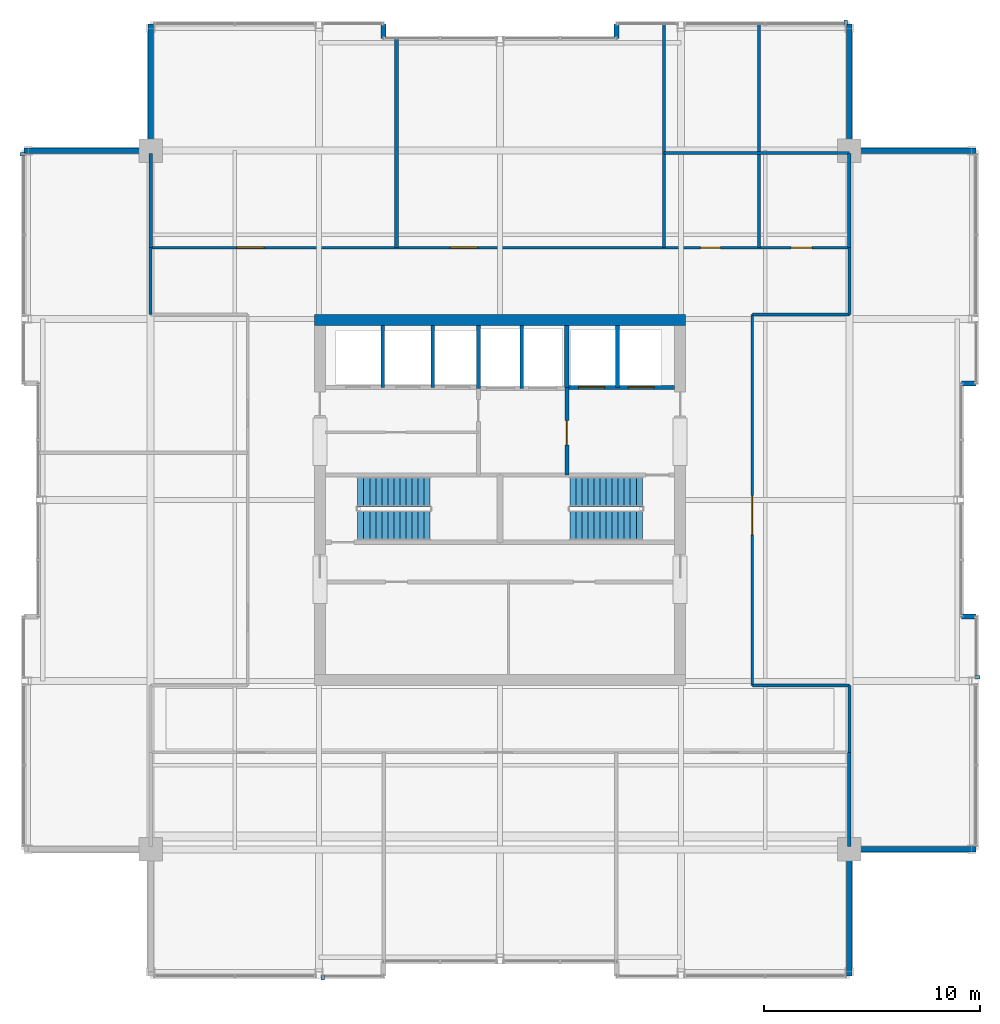
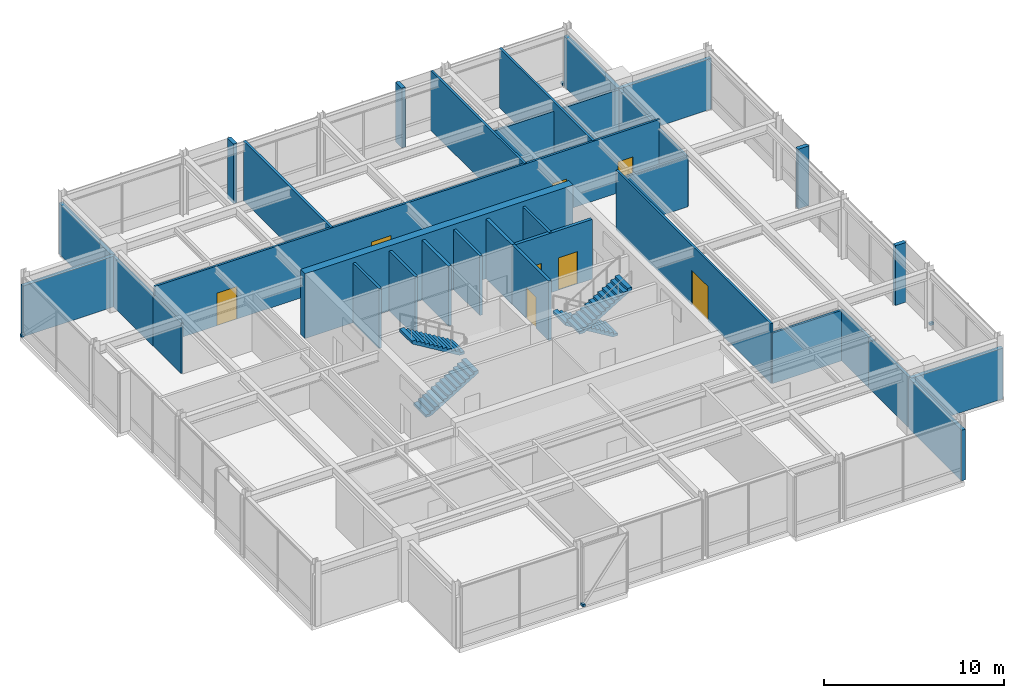
# One storey, part 30 of 33: 33 walls, 8 doors, 4 discrete accessories, 4 stair flights, 8 openings, 2 elements without a shape of their own.
"""IFC4 building model written with IfcOpenShell, lengths in metres."""

import ifcopenshell
import ifcopenshell.guid

model = None  # the IFC model being written
_history = None  # IfcOwnerHistory: only IFC2X3 demands one
_inside = {}  # id of a spatial element -> (the spatial element, [elements in it])
_under = {}  # id of a project, library or spatial element -> (it, [spatial elements below it])
_declared = {}  # id of a project -> (the project, [libraries it declares])
_typed = {}  # id of a type object -> (the type object, [elements of that type])
_made_of = {}  # id of a material, layer set ... -> (it, [elements and type objects made of it])


def new_model(schema):
    """Start an empty IFC model of exactly this schema.

    Asked for "IFC4X3", IfcOpenShell would pick the latest addendum, in which some entities
    have other attributes; the version numbers below select the first issue.
    IFC2X3 requires an IfcOwnerHistory on every rooted entity: one is made here for all.
    """
    global model, _history
    if schema == "IFC4X3":
        model = ifcopenshell.file(schema_version=(4, 3, 0, 0))
    else:
        model = ifcopenshell.file(schema=schema)
    _inside.clear()
    _under.clear()
    _declared.clear()
    _typed.clear()
    _made_of.clear()
    _history = None
    if model.schema == "IFC2X3":
        org = make("IfcOrganization", Name="unknown")
        user = make(
            "IfcPersonAndOrganization",
            ThePerson=make("IfcPerson", FamilyName="unknown"),
            TheOrganization=org,
        )
        app = make(
            "IfcApplication",
            ApplicationDeveloper=org,
            Version="unknown",
            ApplicationFullName="unknown",
            ApplicationIdentifier="unknown",
        )
        _history = make(
            "IfcOwnerHistory",
            OwningUser=user,
            OwningApplication=app,
            ChangeAction="ADDED",
            CreationDate=0,
        )
    return model


def make(cls, **values):
    """One entity of the class cls with the attributes given. An attribute that is None is left unset."""
    return model.create_entity(
        cls, **{name: value for name, value in values.items() if value is not None}
    )


def rooted(cls, **values):
    """An entity with a GlobalId (a new one), such as an element, a storey or a relation."""
    return make(cls, GlobalId=ifcopenshell.guid.new(), OwnerHistory=_history, **values)


def si_unit(unit_type, name, prefix=None):
    """IfcSIUnit, for example si_unit("LENGTHUNIT", "METRE", prefix="MILLI")."""
    return make("IfcSIUnit", UnitType=unit_type, Prefix=prefix, Name=name)


def assignment(units):
    """IfcUnitAssignment: the units of a project."""
    return None if units is None else make("IfcUnitAssignment", Units=units)


def point(xyz):
    """IfcCartesianPoint."""
    return None if xyz is None else make("IfcCartesianPoint", Coordinates=xyz)


def direction(xyz):
    """IfcDirection."""
    return None if xyz is None else make("IfcDirection", DirectionRatios=xyz)


def frame(location, z_axis=None, x_axis=None):
    """IfcAxis2Placement3D, a coordinate frame: its origin and axes. An axis left out is left unset."""
    return make(
        "IfcAxis2Placement3D",
        Location=point(location),
        Axis=direction(z_axis),
        RefDirection=direction(x_axis),
    )


def frame_2d(location, x_axis=None):
    """IfcAxis2Placement2D, a coordinate frame in the plane: its origin and x axis."""
    return make(
        "IfcAxis2Placement2D", Location=point(location), RefDirection=direction(x_axis)
    )


def origin():
    """The frame at (0, 0, 0) with its axes left unset."""
    return frame((0.0, 0.0, 0.0))


def origin_2d():
    """The frame at (0, 0) in the plane with its x axis left unset."""
    return frame_2d((0.0, 0.0))


def place(relative_to, where):
    """IfcLocalPlacement: puts the frame where relative to a parent placement (None: the world)."""
    return make(
        "IfcLocalPlacement", PlacementRelTo=relative_to, RelativePlacement=where
    )


def context(
    kind, dimensions, precision=None, world=None, true_north=None, identifier=None
):
    """IfcGeometricRepresentationContext, for example the 3D "Model" context."""
    return make(
        "IfcGeometricRepresentationContext",
        ContextIdentifier=identifier,
        ContextType=kind,
        CoordinateSpaceDimension=dimensions,
        Precision=precision,
        WorldCoordinateSystem=world,
        TrueNorth=true_north,
    )


def subcontext(parent, identifier, kind, view, scale=None):
    """IfcGeometricRepresentationSubContext, for example "Body" below "Model"."""
    return make(
        "IfcGeometricRepresentationSubContext",
        ContextIdentifier=identifier,
        ContextType=kind,
        ParentContext=parent,
        TargetScale=scale,
        TargetView=view,
    )


def project(units=None, contexts=None):
    """IfcProject with its units and contexts."""
    return rooted(
        "IfcProject",
        Name="project",
        RepresentationContexts=contexts,
        UnitsInContext=assignment(units),
    )


def spatial(cls, under=None, at=None, **own):
    """A site, building, storey or space (cls), placed at a placement, below another one or the project."""
    s = rooted(cls, ObjectPlacement=at, **own)
    if under is not None:
        _under.setdefault(under.id(), (under, []))[1].append(s)
    return s


def polyline(points):
    """IfcPolyline through the points."""
    return make("IfcPolyline", Points=[point(p) for p in points])


def profile(cls, at=None, kind="AREA", **sizes):
    """A parametric profile (cls). Its sizes go by their IFC names, for example OverallWidth=200.0."""
    return make(cls, ProfileType=kind, Position=at, **sizes)


def rectangle(**sizes):
    """IfcRectangleProfileDef."""
    return profile("IfcRectangleProfileDef", **sizes)


def outline(outer, holes=None, kind="AREA"):
    """IfcArbitraryClosedProfileDef: a profile drawn as a closed curve; with holes, ...WithVoids."""
    if holes is None:
        return make("IfcArbitraryClosedProfileDef", ProfileType=kind, OuterCurve=outer)
    return make(
        "IfcArbitraryProfileDefWithVoids",
        ProfileType=kind,
        OuterCurve=outer,
        InnerCurves=holes,
    )


def extrude(swept, where, along, depth):
    """IfcExtrudedAreaSolid: the profile swept, set in the frame where, extruded along a direction by depth."""
    return make(
        "IfcExtrudedAreaSolid",
        SweptArea=swept,
        Position=where,
        ExtrudedDirection=direction(along),
        Depth=depth,
    )


def shape(context_of_items, identifier, shape_type, items):
    """IfcShapeRepresentation: the items that make up one representation, for example the "Body"."""
    return make(
        "IfcShapeRepresentation",
        ContextOfItems=context_of_items,
        RepresentationIdentifier=identifier,
        RepresentationType=shape_type,
        Items=items,
    )


def material(Name=None, Category=None):
    """IfcMaterial."""
    return make("IfcMaterial", Name=Name, Category=Category)


def layer(
    of_material, thickness, ventilated=None, Name=None, Category=None, Priority=None
):
    """IfcMaterialLayer: one layer of a wall or slab, of a material (None: an air gap)."""
    return make(
        "IfcMaterialLayer",
        Material=of_material,
        LayerThickness=thickness,
        IsVentilated=ventilated,
        Name=Name,
        Category=Category,
        Priority=Priority,
    )


def layer_set(layers, Name=None):
    """IfcMaterialLayerSet."""
    return make("IfcMaterialLayerSet", MaterialLayers=layers, LayerSetName=Name)


def made_of(thing, what):
    """Note that an element or type object is made of a material, layer set ...; save() writes the relation."""
    if what is not None:
        _made_of.setdefault(what.id(), (what, []))[1].append(thing)
    return thing


def type_object(cls, material=None, **own):
    """A type object (cls), such as IfcWallType, which elements share."""
    return made_of(rooted(cls, **own), material)


def element(
    cls,
    number,
    at=None,
    inside=None,
    cuts=None,
    type_object=None,
    material=None,
    context=None,
    identifier="Body",
    shape_type=None,
    held_by="IfcProductDefinitionShape",
    body=None,
    shapes=None,
    **own,
):
    """One element of the class cls, such as IfcWall. Its Tag is "e" and its number.

    at: its placement. inside: the storey or other place that contains it. cuts: it is an
    opening in that element (IfcRelVoidsElement). A single representation is given by context,
    identifier, shape_type and body (its items); several are given by shapes. held_by: the class
    of the entity that holds the representations. save() writes the other relations.
    """
    e = rooted(cls, Tag="e%d" % number, ObjectPlacement=at, **own)
    if body is not None:
        shapes = [shape(context, identifier, shape_type, body)]
    if shapes is not None:
        e.Representation = make(held_by, Representations=shapes)
    if inside is not None:
        _inside.setdefault(inside.id(), (inside, []))[1].append(e)
    if cuts is not None:
        rooted(
            "IfcRelVoidsElement", RelatingBuildingElement=cuts, RelatedOpeningElement=e
        )
    if type_object is not None:
        _typed.setdefault(type_object.id(), (type_object, []))[1].append(e)
    return made_of(e, material)


def fill(opening, filler):
    """IfcRelFillsElement: the door or window that sits in an opening."""
    return rooted(
        "IfcRelFillsElement",
        RelatingOpeningElement=opening,
        RelatedBuildingElement=filler,
    )


def aggregate(whole, parts):
    """IfcRelAggregates: a whole, such as a stair, and the parts it consists of."""
    return rooted("IfcRelAggregates", RelatingObject=whole, RelatedObjects=parts)


def save(model, path):
    """Write the relations noted so far, then the file.

    IfcRelAggregates (storeys below a building ...), IfcRelContainedInSpatialStructure (elements
    in a storey), IfcRelDefinesByType, IfcRelAssociatesMaterial and IfcRelDeclares: one each for
    every whole, place, type object, material and project.
    """
    for whole, parts in _under.values():
        aggregate(whole, parts)
    for where, things in _inside.values():
        rooted(
            "IfcRelContainedInSpatialStructure",
            RelatedElements=things,
            RelatingStructure=where,
        )
    for kind, things in _typed.values():
        rooted("IfcRelDefinesByType", RelatedObjects=things, RelatingType=kind)
    for what, things in _made_of.values():
        rooted("IfcRelAssociatesMaterial", RelatedObjects=things, RelatingMaterial=what)
    for by, libraries in _declared.values():
        rooted("IfcRelDeclares", RelatingContext=by, RelatedDefinitions=libraries)
    model.write(path)


model = new_model("IFC4")

# Units and contexts
model_context = context("Model", 3, precision=1e-05, world=origin(), true_north=direction((0.0, 1.0)))
body_context = subcontext(model_context, "Body", "Model", "MODEL_VIEW")
ifc_project = project(units=[si_unit("LENGTHUNIT", "METRE"), si_unit("AREAUNIT", "SQUARE_METRE"), si_unit("VOLUMEUNIT", "CUBIC_METRE"), si_unit("PLANEANGLEUNIT", "RADIAN"), si_unit("MASSUNIT", "GRAM", prefix="KILO")], contexts=[model_context])

# Site, building, storey
site_placement = place(None, origin())
site = spatial("IfcSite", under=ifc_project, at=site_placement, CompositionType="ELEMENT")
building_placement = place(site_placement, origin())
building = spatial("IfcBuilding", under=site, at=building_placement, Name="Drelvath Grand Hotel", CompositionType="ELEMENT")
storey_placement = place(building_placement, frame((0.0, 0.0, 298.60009765625)))
storey = spatial("IfcBuildingStorey", under=building, at=storey_placement, Name="L78", CompositionType="ELEMENT", Elevation=298.60009765625)

# Wall, openings, doors
ifc_material_1 = material(Name="Concrete C40/50", Category="concrete")
ifc_layer_1 = layer(ifc_material_1, 0.199951171875)
ifc_layer_set_1 = layer_set([ifc_layer_1], Name="Concrete C40/50")
wall_type_1 = type_object("IfcWallType", Name="Core Hoistway Fire Wall 200", PredefinedType="SOLIDWALL", material=ifc_layer_set_1)
wall_1_placement = place(storey_placement, frame((3.10009765625, 32.219970703125, 0.0), z_axis=(0.0, 0.0, 1.0), x_axis=(1.0, 0.0, 0.0)))
wall_1 = element("IfcWall", 1, at=wall_1_placement, inside=storey, type_object=wall_type_1, Name="L78 FSAE Hoistway Front Wall", PredefinedType="SOLIDWALL", context=body_context, shape_type="SweptSolid", body=[
    extrude(rectangle(XDim=5.0, YDim=0.199951171875, at=frame_2d((2.5, 0.0))), origin(), (0.0, 0.0, 1.0), 4.0498046875),
])
opening_1_placement = place(wall_1_placement, frame((0.550048828125, 0.0, 0.0)))
opening_1 = element("IfcOpeningElement", 2, at=opening_1_placement, cuts=wall_1, Name="Opening LD-FSAE-1", PredefinedType="OPENING", context=body_context, shape_type="SweptSolid", body=[
    extrude(rectangle(XDim=1.199951171875, YDim=2.199951171875, at=frame_2d((0.60009765625, 1.10009765625))), frame((0.0, 0.10986328125, 0.0), z_axis=(0.0, -1.0, 0.0), x_axis=(1.0, 0.0, 0.0)), (0.0, 0.0, 1.0), 0.219970703125),
])
opening_2_placement = place(wall_1_placement, frame((2.85009765625, 0.0, 0.0)))
opening_2 = element("IfcOpeningElement", 3, at=opening_2_placement, cuts=wall_1, Name="Opening LD-FSAE-2", PredefinedType="OPENING", context=body_context, shape_type="SweptSolid", body=[
    extrude(rectangle(XDim=1.199951171875, YDim=2.199951171875, at=frame_2d((0.60009765625, 1.10009765625))), frame((0.0, 0.10986328125, 0.0), z_axis=(0.0, -1.0, 0.0), x_axis=(1.0, 0.0, 0.0)), (0.0, 0.0, 1.0), 0.219970703125),
])
ifc_material_2 = material(Name="Stainless Steel S355", Category="steel")
door_type_1 = type_object("IfcDoorType", Name="FSAE Lift Sliding Landing Door 1200x2200", OperationType="NOTDEFINED", PredefinedType="DOOR", material=ifc_material_2)
door_1_placement = place(opening_1_placement, origin())
door_1 = element("IfcDoor", 4, at=door_1_placement, inside=storey, type_object=door_type_1, Name="L78 Lift FSAE-1 Landing Door", OperationType="SLIDING_TO_LEFT", OverallHeight=2.199951171875, OverallWidth=1.199951171875, PredefinedType="DOOR", context=body_context, shape_type="SweptSolid", body=[
    extrude(rectangle(XDim=1.199951171875, YDim=2.199951171875, at=frame_2d((0.60009765625, 1.10009765625))), frame((0.0, 0.02490234375, 0.0), z_axis=(0.0, -1.0, 0.0), x_axis=(1.0, 0.0, 0.0)), (0.0, 0.0, 1.0), 0.050048828125),
])
fill(opening_1, door_1)
door_2_placement = place(opening_2_placement, origin())
door_2 = element("IfcDoor", 5, at=door_2_placement, inside=storey, type_object=door_type_1, Name="L78 Lift FSAE-2 Landing Door", OperationType="SLIDING_TO_LEFT", OverallHeight=2.199951171875, OverallWidth=1.199951171875, PredefinedType="DOOR", context=body_context, shape_type="SweptSolid", body=[
    extrude(rectangle(XDim=1.199951171875, YDim=2.199951171875, at=frame_2d((0.60009765625, 1.10009765625))), frame((0.0, 0.02490234375, 0.0), z_axis=(0.0, -1.0, 0.0), x_axis=(1.0, 0.0, 0.0)), (0.0, 0.0, 1.0), 0.050048828125),
])
fill(opening_2, door_2)

# Walls
wall_2_placement = place(storey_placement, frame((3.10009765625, 32.219970703125, 0.0), z_axis=(0.0, 0.0, 1.0), x_axis=(0.0, 1.0, 0.0)))
element("IfcWall", 6, at=wall_2_placement, inside=storey, type_object=wall_type_1, Name="L78 FSAE Hoistway West Wall", PredefinedType="SOLIDWALL", context=body_context, shape_type="SweptSolid", body=[
    extrude(rectangle(XDim=2.880126953125, YDim=0.199951171875, at=frame_2d((1.43994140625, 0.0))), origin(), (0.0, 0.0, 1.0), 4.0498046875),
])
wall_3_placement = place(storey_placement, frame((-1.0, 32.179931640625, 0.0), z_axis=(0.0, 0.0, 1.0), x_axis=(0.0, 1.0, 0.0)))
element("IfcWall", 7, at=wall_3_placement, inside=storey, type_object=wall_type_1, Name="L78 Service Lift West Wall", PredefinedType="SOLIDWALL", context=body_context, shape_type="SweptSolid", body=[
    extrude(rectangle(XDim=2.920166015625, YDim=0.199951171875, at=frame_2d((1.4599609375, 0.0))), origin(), (0.0, 0.0, 1.0), 4.0498046875),
])
ifc_material_3 = material(Name="Gypsum Fireboard Partition")
ifc_layer_2 = layer(ifc_material_3, 0.1650390625)
ifc_layer_set_2 = layer_set([ifc_layer_2], Name="Gypsum Fireboard Partition")
wall_type_2 = type_object("IfcWallType", Name="Core Shaft Partition 165", PredefinedType="PARTITIONING", material=ifc_layer_set_2)
wall_4_placement = place(storey_placement, frame((5.449951171875, 32.219970703125, 0.0), z_axis=(0.0, 0.0, 1.0), x_axis=(0.0, 1.0, 0.0)))
element("IfcWall", 8, at=wall_4_placement, inside=storey, type_object=wall_type_2, Name="L78 FSAE Hoistway Divider", PredefinedType="PARTITIONING", context=body_context, shape_type="SweptSolid", body=[
    extrude(rectangle(XDim=2.880126953125, YDim=0.1650390625, at=frame_2d((1.43994140625, 0.0))), origin(), (0.0, 0.0, 1.0), 4.0498046875),
])
wall_5_placement = place(storey_placement, frame((1.0, 32.179931640625, 0.0), z_axis=(0.0, 0.0, 1.0), x_axis=(0.0, 1.0, 0.0)))
element("IfcWall", 9, at=wall_5_placement, inside=storey, type_object=wall_type_2, Name="L78 Service Lift Divider", PredefinedType="PARTITIONING", context=body_context, shape_type="SweptSolid", body=[
    extrude(rectangle(XDim=2.920166015625, YDim=0.1650390625, at=frame_2d((1.4599609375, 0.0))), origin(), (0.0, 0.0, 1.0), 4.0498046875),
])
for number, where, z_axis, x_axis, name in (
    (10, (-5.43994140625, 32.219970703125, 0.0), (0.0, 0.0, 1.0), (0.0, 1.0, 0.0), "L78 Lift PE-7/8 Divider"),
    (11, (-3.1201171875, 32.219970703125, 0.0), (0.0, 0.0, 1.0), (0.0, 1.0, 0.0), "L78 Lift PE-8/9 Divider"),
):
    element("IfcWall", number, at=place(storey_placement, frame(where, z_axis=z_axis, x_axis=x_axis)), inside=storey, type_object=wall_type_2, Name=name, PredefinedType="PARTITIONING", context=body_context, shape_type="SweptSolid", body=[
        extrude(rectangle(XDim=2.880126953125, YDim=0.1650390625, at=frame_2d((1.43994140625, 0.0))), origin(), (0.0, 0.0, 1.0), 4.0498046875),
    ])

# Wall, openings, doors
ifc_layer_3 = layer(ifc_material_3, 0.135009765625)
ifc_layer_set_3 = layer_set([ifc_layer_3], Name="Gypsum Fireboard Partition")
wall_type_3 = type_object("IfcWallType", Name="Corridor Fire Barrier Wall 135", PredefinedType="PARTITIONING", material=ifc_layer_set_3)
wall_6_placement = place(storey_placement, frame((-16.199951171875, 38.699951171875, 0.0), z_axis=(0.0, 0.0, 1.0), x_axis=(1.0, 0.0, 0.0)))
wall_6 = element("IfcWall", 12, at=wall_6_placement, inside=storey, type_object=wall_type_3, Name="L78 Sky North Foyer Wall", PredefinedType="PARTITIONING", context=body_context, shape_type="SweptSolid", body=[
    extrude(rectangle(XDim=32.39990234375, YDim=0.135009765625, at=frame_2d((16.199951171875, 0.0))), origin(), (0.0, 0.0, 1.0), 4.0498046875),
])
opening_3_placement = place(wall_6_placement, frame((4.0, 0.0, 0.0)))
opening_3 = element("IfcOpeningElement", 13, at=opening_3_placement, cuts=wall_6, Name="Opening D-L78-022", PredefinedType="OPENING", context=body_context, shape_type="SweptSolid", body=[
    extrude(rectangle(XDim=1.260009765625, YDim=2.199951171875, at=frame_2d((0.6298828125, 1.10009765625))), frame((0.0, 0.077392578125, 0.0), z_axis=(0.0, -1.0, 0.0), x_axis=(1.0, 0.0, 0.0)), (0.0, 0.0, 1.0), 0.155029296875),
])
opening_4_placement = place(wall_6_placement, frame((13.89990234375, 0.0, 0.0)))
opening_4 = element("IfcOpeningElement", 14, at=opening_4_placement, cuts=wall_6, Name="Opening D-L78-023", PredefinedType="OPENING", context=body_context, shape_type="SweptSolid", body=[
    extrude(rectangle(XDim=1.260009765625, YDim=2.199951171875, at=frame_2d((0.6298828125, 1.10009765625))), frame((0.0, 0.077392578125, 0.0), z_axis=(0.0, -1.0, 0.0), x_axis=(1.0, 0.0, 0.0)), (0.0, 0.0, 1.0), 0.155029296875),
])
opening_5_placement = place(wall_6_placement, frame((25.5, 0.0, 0.0)))
opening_5 = element("IfcOpeningElement", 15, at=opening_5_placement, cuts=wall_6, Name="Opening D-L78-024", PredefinedType="OPENING", context=body_context, shape_type="SweptSolid", body=[
    extrude(rectangle(XDim=0.919921875, YDim=2.10009765625, at=frame_2d((0.4599609375, 1.050048828125))), frame((0.0, 0.077392578125, 0.0), z_axis=(0.0, -1.0, 0.0), x_axis=(1.0, 0.0, 0.0)), (0.0, 0.0, 1.0), 0.155029296875),
])
opening_6_placement = place(wall_6_placement, frame((29.699951171875, 0.0, 0.0)))
opening_6 = element("IfcOpeningElement", 16, at=opening_6_placement, cuts=wall_6, Name="Opening D-L78-025", PredefinedType="OPENING", context=body_context, shape_type="SweptSolid", body=[
    extrude(rectangle(XDim=0.97998046875, YDim=2.10009765625, at=frame_2d((0.489990234375, 1.050048828125))), frame((0.0, 0.077392578125, 0.0), z_axis=(0.0, -1.0, 0.0), x_axis=(1.0, 0.0, 0.0)), (0.0, 0.0, 1.0), 0.155029296875),
])
ifc_material_4 = material(Name="Hardwood Walnut Timber", Category="wood")
door_type_2 = type_object("IfcDoorType", Name="Accessible WC Door 980x2100", OperationType="NOTDEFINED", PredefinedType="DOOR", material=ifc_material_4)
door_3_placement = place(opening_6_placement, origin())
door_3 = element("IfcDoor", 17, at=door_3_placement, inside=storey, type_object=door_type_2, Name="L78 Sky Accessible WC Door", OperationType="SINGLE_SWING_RIGHT", OverallHeight=2.10009765625, OverallWidth=0.97998046875, PredefinedType="DOOR", context=body_context, shape_type="SweptSolid", body=[
    extrude(rectangle(XDim=0.97998046875, YDim=2.10009765625, at=frame_2d((0.489990234375, 1.050048828125))), frame((0.0, 0.02490234375, 0.0), z_axis=(0.0, -1.0, 0.0), x_axis=(1.0, 0.0, 0.0)), (0.0, 0.0, 1.0), 0.050048828125),
])
fill(opening_6, door_3)
ifc_material_5 = material(Name="Painted Steel S275", Category="steel")
door_type_3 = type_object("IfcDoorType", Name="Staff Utility Door 920x2100", OperationType="NOTDEFINED", PredefinedType="DOOR", material=ifc_material_5)
door_4_placement = place(opening_5_placement, origin())
door_4 = element("IfcDoor", 18, at=door_4_placement, inside=storey, type_object=door_type_3, Name="L78 Sky Public WC Door", OperationType="SINGLE_SWING_LEFT", OverallHeight=2.10009765625, OverallWidth=0.919921875, PredefinedType="DOOR", context=body_context, shape_type="SweptSolid", body=[
    extrude(rectangle(XDim=0.919921875, YDim=2.10009765625, at=frame_2d((0.4599609375, 1.050048828125))), frame((0.0, 0.02490234375, 0.0), z_axis=(0.0, -1.0, 0.0), x_axis=(1.0, 0.0, 0.0)), (0.0, 0.0, 1.0), 0.050048828125),
])
fill(opening_5, door_4)
door_type_4 = type_object("IfcDoorType", Name="Suite Entrance Fire Door 1260x2200", OperationType="NOTDEFINED", PredefinedType="DOOR", material=ifc_material_4)
door_5_placement = place(opening_3_placement, origin())
door_5 = element("IfcDoor", 19, at=door_5_placement, inside=storey, type_object=door_type_4, Name="L78 Starlight VIP Salon Door", OperationType="SINGLE_SWING_LEFT", OverallHeight=2.199951171875, OverallWidth=1.260009765625, PredefinedType="DOOR", context=body_context, shape_type="SweptSolid", body=[
    extrude(rectangle(XDim=1.260009765625, YDim=2.199951171875, at=frame_2d((0.6298828125, 1.10009765625))), frame((0.0, 0.02490234375, 0.0), z_axis=(0.0, -1.0, 0.0), x_axis=(1.0, 0.0, 0.0)), (0.0, 0.0, 1.0), 0.050048828125),
])
fill(opening_3, door_5)
door_6_placement = place(opening_4_placement, origin())
door_6 = element("IfcDoor", 20, at=door_6_placement, inside=storey, type_object=door_type_4, Name="L78 Mixology Servery Kitchen Door", OperationType="SINGLE_SWING_RIGHT", OverallHeight=2.199951171875, OverallWidth=1.260009765625, PredefinedType="DOOR", context=body_context, shape_type="SweptSolid", body=[
    extrude(rectangle(XDim=1.260009765625, YDim=2.199951171875, at=frame_2d((0.6298828125, 1.10009765625))), frame((0.0, 0.02490234375, 0.0), z_axis=(0.0, -1.0, 0.0), x_axis=(1.0, 0.0, 0.0)), (0.0, 0.0, 1.0), 0.050048828125),
])
fill(opening_4, door_6)

# Walls
for number, where, z_axis, x_axis, name in (
    (21, (11.699951171875, 18.39990234375, 0.0), (0.0, 0.0, 1.0), (1.0, 0.0, 0.0), "L78 Sky SE Spur Inner Wall"),
    (22, (11.699951171875, 35.60009765625, 0.0), (0.0, 0.0, 1.0), (1.0, 0.0, 0.0), "L78 Sky NE Spur Inner Wall"),
):
    element("IfcWall", number, at=place(storey_placement, frame(where, z_axis=z_axis, x_axis=x_axis)), inside=storey, type_object=wall_type_3, Name=name, PredefinedType="PARTITIONING", context=body_context, shape_type="SweptSolid", body=[
        extrude(rectangle(XDim=4.5, YDim=0.135009765625, at=frame_2d((2.25, 0.0))), origin(), (0.0, 0.0, 1.0), 3.42724609375),
    ])

# Wall, opening, door
wall_7_placement = place(storey_placement, frame((11.699951171875, 18.39990234375, 0.0), z_axis=(0.0, 0.0, 1.0), x_axis=(0.0, 1.0, 0.0)))
wall_7 = element("IfcWall", 23, at=wall_7_placement, inside=storey, type_object=wall_type_3, Name="L78 Sky East Foyer Wall", PredefinedType="PARTITIONING", context=body_context, shape_type="SweptSolid", body=[
    extrude(rectangle(XDim=17.2001953125, YDim=0.135009765625, at=frame_2d((8.60009765625, 0.0))), origin(), (0.0, 0.0, 1.0), 4.0498046875),
])
opening_7_placement = place(wall_7_placement, frame((7.0, 0.0, 0.0)))
opening_7 = element("IfcOpeningElement", 24, at=opening_7_placement, cuts=wall_7, Name="Opening D-L78-028", PredefinedType="OPENING", context=body_context, shape_type="SweptSolid", body=[
    extrude(rectangle(XDim=1.800048828125, YDim=2.35009765625, at=frame_2d((0.89990234375, 1.175048828125))), frame((0.0, 0.077392578125, 0.0), z_axis=(0.0, -1.0, 0.0), x_axis=(1.0, 0.0, 0.0)), (0.0, 0.0, 1.0), 0.155029296875),
])
ifc_material_6 = material(Name="Hardwood Bronze-Clad Timber", Category="wood")
door_type_5 = type_object("IfcDoorType", Name="Assembly Double Fire Door 1800x2350", OperationType="NOTDEFINED", PredefinedType="DOOR", material=ifc_material_6)
door_7_placement = place(opening_7_placement, origin())
door_7 = element("IfcDoor", 25, at=door_7_placement, inside=storey, type_object=door_type_5, Name="L78 East Panorama Lounge Door", OperationType="DOUBLE_DOOR_SINGLE_SWING", OverallHeight=2.35009765625, OverallWidth=1.800048828125, PredefinedType="DOOR", context=body_context, shape_type="SweptSolid", body=[
    extrude(rectangle(XDim=1.800048828125, YDim=2.35009765625, at=frame_2d((0.89990234375, 1.175048828125))), frame((0.0, 0.02490234375, 0.0), z_axis=(0.0, -1.0, 0.0), x_axis=(1.0, 0.0, 0.0)), (0.0, 0.0, 1.0), 0.050048828125),
])
fill(opening_7, door_7)

# Walls
for number, where, z_axis, x_axis, name in (
    (26, (16.199951171875, 15.300048828125, 0.0), (0.0, 0.0, 1.0), (0.0, 1.0, 0.0), "L78 Sky South Foyer East End"),
    (27, (-16.199951171875, 35.60009765625, 0.0), (0.0, 0.0, 1.0), (0.0, 1.0, 0.0), "L78 Sky North Foyer West End"),
    (28, (16.199951171875, 35.60009765625, 0.0), (0.0, 0.0, 1.0), (0.0, 1.0, 0.0), "L78 Sky North Foyer East End"),
):
    element("IfcWall", number, at=place(storey_placement, frame(where, z_axis=z_axis, x_axis=x_axis)), inside=storey, type_object=wall_type_3, Name=name, PredefinedType="PARTITIONING", context=body_context, shape_type="SweptSolid", body=[
        extrude(rectangle(XDim=3.099853515625, YDim=0.135009765625, at=frame_2d((1.5498046875, 0.0))), origin(), (0.0, 0.0, 1.0), 3.423828125),
    ])
ifc_material_7 = material(Name="Moisture-Resistant Gypsum Board")
ifc_layer_4 = layer(ifc_material_7, 0.139892578125)
ifc_layer_set_4 = layer_set([ifc_layer_4], Name="Moisture-Resistant Gypsum Board")
wall_type_4 = type_object("IfcWallType", Name="En-Suite Plumbing Wall 140", PredefinedType="PLUMBINGWALL", material=ifc_layer_set_4)
for number, where, z_axis, x_axis, name in (
    (29, (7.60009765625, 38.699951171875, 0.0), (0.0, 0.0, 1.0), (0.0, 1.0, 0.0), "L78 Sky WC West Wall"),
    (30, (12.0, 38.699951171875, 0.0), (0.0, 0.0, 1.0), (0.0, 1.0, 0.0), "L78 Sky WC Split Wall"),
):
    element("IfcWall", number, at=place(storey_placement, frame(where, z_axis=z_axis, x_axis=x_axis)), inside=storey, type_object=wall_type_4, Name=name, PredefinedType="PLUMBINGWALL", context=body_context, shape_type="SweptSolid", body=[
        extrude(rectangle(XDim=10.380126953125, YDim=0.139892578125, at=frame_2d((5.18994140625, 0.0))), origin(), (0.0, 0.0, 1.0), 4.0498046875),
    ])
wall_8_placement = place(storey_placement, frame((7.60009765625, 43.10009765625, 0.0), z_axis=(0.0, 0.0, 1.0), x_axis=(1.0, 0.0, 0.0)))
element("IfcWall", 31, at=wall_8_placement, inside=storey, type_object=wall_type_4, Name="L78 Sky WC Back Wall", PredefinedType="PLUMBINGWALL", context=body_context, shape_type="SweptSolid", body=[
    extrude(rectangle(XDim=8.599853515625, YDim=0.139892578125, at=frame_2d((4.2998046875, 0.0))), origin(), (0.0, 0.0, 1.0), 3.423828125),
])

# Wall, opening, door
ifc_layer_5 = layer(ifc_material_3, 0.179931640625)
ifc_layer_set_5 = layer_set([ifc_layer_5], Name="Gypsum Fireboard Partition")
wall_type_5 = type_object("IfcWallType", Name="FSAE Smoke Lobby Fire Wall 180", PredefinedType="SOLIDWALL", material=ifc_layer_set_5)
wall_9_placement = place(storey_placement, frame((3.10009765625, 28.159912109375, 0.0), z_axis=(0.0, 0.0, 1.0), x_axis=(0.0, 1.0, 0.0)))
wall_9 = element("IfcWall", 32, at=wall_9_placement, inside=storey, type_object=wall_type_5, Name="L78 FSAE Smoke Lobby West Wall", PredefinedType="SOLIDWALL", context=body_context, shape_type="SweptSolid", body=[
    extrude(rectangle(XDim=4.06005859375, YDim=0.179931640625, at=frame_2d((2.030029296875, 0.0))), origin(), (0.0, 0.0, 1.0), 4.0498046875),
])
opening_8_placement = place(wall_9_placement, frame((1.39990234375, 0.0, 0.0)))
opening_8 = element("IfcOpeningElement", 33, at=opening_8_placement, cuts=wall_9, Name="Opening D-L78-005", PredefinedType="OPENING", context=body_context, shape_type="SweptSolid", body=[
    extrude(rectangle(XDim=1.1201171875, YDim=2.10009765625, at=frame_2d((0.56005859375, 1.050048828125))), frame((0.0, 0.099853515625, 0.0), z_axis=(0.0, -1.0, 0.0), x_axis=(1.0, 0.0, 0.0)), (0.0, 0.0, 1.0), 0.199951171875),
])
door_type_6 = type_object("IfcDoorType", Name="FSAE Smoke Lobby Fire Door 1120x2100", OperationType="NOTDEFINED", PredefinedType="DOOR", material=ifc_material_5)
door_8_placement = place(opening_8_placement, origin())
door_8 = element("IfcDoor", 34, at=door_8_placement, inside=storey, type_object=door_type_6, Name="L78 FSAE Lobby Service Vestibule Door", OperationType="SINGLE_SWING_RIGHT", OverallHeight=2.10009765625, OverallWidth=1.1201171875, PredefinedType="DOOR", context=body_context, shape_type="SweptSolid", body=[
    extrude(rectangle(XDim=1.1201171875, YDim=2.10009765625, at=frame_2d((0.56005859375, 1.050048828125))), frame((0.0, 0.02490234375, 0.0), z_axis=(0.0, -1.0, 0.0), x_axis=(1.0, 0.0, 0.0)), (0.0, 0.0, 1.0), 0.050048828125),
])
fill(opening_8, door_8)

# Walls
ifc_material_8 = material(Name="Gypsum Acoustic Partition")
ifc_layer_6 = layer(ifc_material_8, 0.1650390625)
ifc_layer_set_6 = layer_set([ifc_layer_6], Name="Gypsum Acoustic Partition")
wall_type_6 = type_object("IfcWallType", Name="Suite Demising Wall 165", PredefinedType="PARTITIONING", material=ifc_layer_set_6)
for number, where, z_axis, x_axis, name in (
    (35, (16.199951171875, 10.919921875, 0.0), (0.0, 0.0, 1.0), (0.0, 1.0, 0.0), "L78 Sky SE Wall"),
    (36, (-16.199951171875, 38.699951171875, 0.0), (0.0, 0.0, 1.0), (0.0, 1.0, 0.0), "L78 Sky NW Wall"),
    (37, (16.199951171875, 38.699951171875, 0.0), (0.0, 0.0, 1.0), (0.0, 1.0, 0.0), "L78 Sky NE Wall"),
):
    element("IfcWall", number, at=place(storey_placement, frame(where, z_axis=z_axis, x_axis=x_axis)), inside=storey, type_object=wall_type_6, Name=name, PredefinedType="PARTITIONING", context=body_context, shape_type="SweptSolid", body=[
        extrude(rectangle(XDim=4.380126953125, YDim=0.1650390625, at=frame_2d((2.18994140625, 0.0))), origin(), (0.0, 0.0, 1.0), 3.423828125),
    ])
wall_10_placement = place(storey_placement, frame((-4.800048828125, 38.699951171875, 0.0), z_axis=(0.0, 0.0, 1.0), x_axis=(0.0, 1.0, 0.0)))
element("IfcWall", 38, at=wall_10_placement, inside=storey, type_object=wall_type_6, Name="L78 Sky North Split", PredefinedType="PARTITIONING", context=body_context, shape_type="SweptSolid", body=[
    extrude(rectangle(XDim=9.699951171875, YDim=0.1650390625, at=frame_2d((4.85009765625, 0.0))), origin(), (0.0, 0.0, 1.0), 4.0498046875),
])
ifc_material_9 = material(Name="Pale-Metal Insulated Aluminium Spandrel Assembly", Category="aluminium")
ifc_layer_7 = layer(ifc_material_9, 0.239990234375)
ifc_layer_set_7 = layer_set([ifc_layer_7], Name="Pale-Metal Insulated Aluminium Spandrel Assembly")
wall_type_7 = type_object("IfcWallType", Name="Tower Insulated Metal Spandrel Closure Wall 240", PredefinedType="STANDARD", material=ifc_layer_set_7)
for number, where, z_axis, x_axis, name in (
    (39, (-22.080078125, 43.199951171875, 0.0), (0.0, 0.0, 1.0), (1.0, 0.0, 0.0), "L78 Notched Corner Return Spandrel Wall CNW1"),
    (40, (-16.199951171875, 43.199951171875, 0.0), (0.0, 0.0, 1.0), (0.0, 1.0, 0.0), "L78 Notched Corner Return Spandrel Wall CNW2"),
    (41, (16.199951171875, 49.080078125, 0.0), (0.0, 0.0, 1.0), (0.0, -1.0, 0.0), "L78 Notched Corner Return Spandrel Wall CNE1"),
    (42, (16.199951171875, 43.199951171875, 0.0), (0.0, 0.0, 1.0), (1.0, 0.0, 0.0), "L78 Notched Corner Return Spandrel Wall CNE2"),
    (43, (22.080078125, 10.800048828125, 0.0), (0.0, 0.0, 1.0), (-1.0, 0.0, 0.0), "L78 Notched Corner Return Spandrel Wall CSE1"),
    (44, (16.199951171875, 10.800048828125, 0.0), (0.0, 0.0, 1.0), (0.0, -1.0, 0.0), "L78 Notched Corner Return Spandrel Wall CSE2"),
):
    element("IfcWall", number, at=place(storey_placement, frame(where, z_axis=z_axis, x_axis=x_axis)), inside=storey, type_object=wall_type_7, Name=name, PredefinedType="STANDARD", context=body_context, shape_type="SweptSolid", body=[
        extrude(rectangle(XDim=5.880126953125, YDim=0.239990234375, at=frame_2d((2.93994140625, 0.0))), origin(), (0.0, 0.0, 1.0), 3.438720703125),
    ])
for number, where, z_axis, x_axis, name in (
    (45, (22.080078125, 32.39990234375, 0.0), (0.0, 0.0, 1.0), (-1.0, 0.0, 0.0), "L78 Notched Corner Return Spandrel Wall RE1"),
    (46, (21.39990234375, 21.60009765625, 0.0), (0.0, 0.0, 1.0), (1.0, 0.0, 0.0), "L78 Notched Corner Return Spandrel Wall RE2"),
    (47, (-5.39990234375, 49.080078125, 0.0), (0.0, 0.0, 1.0), (0.0, -1.0, 0.0), "L78 Notched Corner Return Spandrel Wall RN1"),
    (48, (5.39990234375, 48.39990234375, 0.0), (0.0, 0.0, 1.0), (0.0, 1.0, 0.0), "L78 Notched Corner Return Spandrel Wall RN2"),
):
    element("IfcWall", number, at=place(storey_placement, frame(where, z_axis=z_axis, x_axis=x_axis)), inside=storey, type_object=wall_type_7, Name=name, PredefinedType="STANDARD", context=body_context, shape_type="SweptSolid", body=[
        extrude(rectangle(XDim=0.68017578125, YDim=0.239990234375, at=frame_2d((0.340087890625, 0.0))), origin(), (0.0, 0.0, 1.0), 4.0498046875),
    ])
ifc_material_10 = material(Name="Concrete f'c 55 MPa", Category="concrete")
ifc_layer_8 = layer(ifc_material_10, 0.5)
ifc_layer_set_8 = layer_set([ifc_layer_8], Name="Concrete f'c 55 MPa")
wall_type_8 = type_object("IfcWallType", Name="Upper Core RC Shear Wall 500", PredefinedType="SHEAR", material=ifc_layer_set_8)
wall_11_placement = place(storey_placement, frame((-8.60009765625, 35.35009765625, 0.0), z_axis=(0.0, 0.0, 1.0), x_axis=(1.0, 0.0, 0.0)))
element("IfcWall", 49, at=wall_11_placement, inside=storey, type_object=wall_type_8, Name="L78 Central Core Shear Wall N", PredefinedType="SHEAR", context=body_context, shape_type="SweptSolid", body=[
    extrude(rectangle(XDim=17.2001953125, YDim=0.5, at=frame_2d((8.60009765625, 0.0))), origin(), (0.0, 0.0, 1.0), 4.39990234375),
])

# Stair, stair flights
stair_type = type_object("IfcStairType", Name="Dogleg Exit Stair W1400-R169.2", PredefinedType="HALF_TURN_STAIR", material=ifc_material_1)
stair_1_placement = place(storey_placement, origin())
stair_1 = element("IfcStair", 50, at=stair_1_placement, inside=storey, type_object=stair_type, Name="L78 Core Exit Stair ST-1", PredefinedType="HALF_TURN_STAIR")
stair_flight_type = type_object("IfcStairFlightType", Name="Concrete Stair Flight W1400-R169.2", PredefinedType="STRAIGHT", material=ifc_material_1)
stair_flight_1_placement = place(storey_placement, frame((-6.60009765625, 25.820068359375, 0.0), z_axis=(0.0, 0.0, 1.0), x_axis=(1.0, 0.0, 0.0)))
stair_flight_1 = element("IfcStairFlight", 51, at=stair_flight_1_placement, type_object=stair_flight_type, Name="ST-1 flight 1", NumberOfRisers=13, NumberOfTreads=12, PredefinedType="STRAIGHT", RiserHeight=0.169230769, TreadLength=0.28, context=body_context, shape_type="SweptSolid", body=[
    extrude(outline(polyline([(0.0, 0.0), (0.0, 0.169189453125), (0.280029296875, 0.169189453125), (0.280029296875, 0.33837890625), (0.56005859375, 0.33837890625), (0.56005859375, 0.5078125), (0.840087890625, 0.5078125), (0.840087890625, 0.677001953125), (1.1201171875, 0.677001953125), (1.1201171875, 0.84619140625), (1.39990234375, 0.84619140625), (1.39990234375, 1.015380859375), (1.679931640625, 1.015380859375), (1.679931640625, 1.1845703125), (1.9599609375, 1.1845703125), (1.9599609375, 1.353759765625), (2.239990234375, 1.353759765625), (2.239990234375, 1.523193359375), (2.52001953125, 1.523193359375), (2.52001953125, 1.6923828125), (2.800048828125, 1.6923828125), (2.800048828125, 1.861572265625), (3.080078125, 1.861572265625), (3.080078125, 2.03076171875), (3.360107421875, 2.03076171875), (3.360107421875, 2.199951171875), (3.360107421875, 1.843994140625), (0.30908203125, 0.0), (0.0, 0.0)])), frame((0.0, 0.699951171875, 0.0), z_axis=(0.0, -1.0, 0.0), x_axis=(1.0, 0.0, 0.0)), (0.0, 0.0, 1.0), 1.39990234375),
])
stair_flight_2_placement = place(storey_placement, frame((-3.239990234375, 27.3798828125, 2.199951171875), z_axis=(0.0, 0.0, 1.0), x_axis=(-1.0, 0.0, 0.0)))
stair_flight_2 = element("IfcStairFlight", 52, at=stair_flight_2_placement, type_object=stair_flight_type, Name="ST-1 flight 2", NumberOfRisers=13, NumberOfTreads=12, PredefinedType="STRAIGHT", RiserHeight=0.169230769, TreadLength=0.28, context=body_context, shape_type="SweptSolid", body=[
    extrude(outline(polyline([(0.0, 0.0), (0.0, 0.169189453125), (0.280029296875, 0.169189453125), (0.280029296875, 0.33837890625), (0.56005859375, 0.33837890625), (0.56005859375, 0.5078125), (0.840087890625, 0.5078125), (0.840087890625, 0.677001953125), (1.1201171875, 0.677001953125), (1.1201171875, 0.84619140625), (1.39990234375, 0.84619140625), (1.39990234375, 1.015380859375), (1.679931640625, 1.015380859375), (1.679931640625, 1.1845703125), (1.9599609375, 1.1845703125), (1.9599609375, 1.353759765625), (2.239990234375, 1.353759765625), (2.239990234375, 1.523193359375), (2.52001953125, 1.523193359375), (2.52001953125, 1.6923828125), (2.800048828125, 1.6923828125), (2.800048828125, 1.861572265625), (3.080078125, 1.861572265625), (3.080078125, 2.03076171875), (3.360107421875, 2.03076171875), (3.360107421875, 2.199951171875), (3.360107421875, 1.843994140625), (0.30908203125, 0.0), (0.0, 0.0)])), frame((0.0, 0.699951171875, 0.0), z_axis=(0.0, -1.0, 0.0), x_axis=(1.0, 0.0, 0.0)), (0.0, 0.0, 1.0), 1.39990234375),
])
aggregate(stair_1, [stair_flight_1, stair_flight_2])

stair_2_placement = place(storey_placement, origin())
stair_2 = element("IfcStair", 53, at=stair_2_placement, inside=storey, type_object=stair_type, Name="L78 Core Exit Stair ST-2", PredefinedType="HALF_TURN_STAIR")
stair_flight_3_placement = place(storey_placement, frame((6.60009765625, 27.3798828125, 0.0), z_axis=(0.0, 0.0, 1.0), x_axis=(-1.0, 0.0, 0.0)))
stair_flight_3 = element("IfcStairFlight", 54, at=stair_flight_3_placement, type_object=stair_flight_type, Name="ST-2 flight 1", NumberOfRisers=13, NumberOfTreads=12, PredefinedType="STRAIGHT", RiserHeight=0.169230769, TreadLength=0.28, context=body_context, shape_type="SweptSolid", body=[
    extrude(outline(polyline([(0.0, 0.0), (0.0, 0.169189453125), (0.280029296875, 0.169189453125), (0.280029296875, 0.33837890625), (0.56005859375, 0.33837890625), (0.56005859375, 0.5078125), (0.840087890625, 0.5078125), (0.840087890625, 0.677001953125), (1.1201171875, 0.677001953125), (1.1201171875, 0.84619140625), (1.39990234375, 0.84619140625), (1.39990234375, 1.015380859375), (1.679931640625, 1.015380859375), (1.679931640625, 1.1845703125), (1.9599609375, 1.1845703125), (1.9599609375, 1.353759765625), (2.239990234375, 1.353759765625), (2.239990234375, 1.523193359375), (2.52001953125, 1.523193359375), (2.52001953125, 1.6923828125), (2.800048828125, 1.6923828125), (2.800048828125, 1.861572265625), (3.080078125, 1.861572265625), (3.080078125, 2.03076171875), (3.360107421875, 2.03076171875), (3.360107421875, 2.199951171875), (3.360107421875, 1.843994140625), (0.30908203125, 0.0), (0.0, 0.0)])), frame((0.0, 0.699951171875, 0.0), z_axis=(0.0, -1.0, 0.0), x_axis=(1.0, 0.0, 0.0)), (0.0, 0.0, 1.0), 1.39990234375),
])
stair_flight_4_placement = place(storey_placement, frame((3.239990234375, 25.820068359375, 2.199951171875), z_axis=(0.0, 0.0, 1.0), x_axis=(1.0, 0.0, 0.0)))
stair_flight_4 = element("IfcStairFlight", 55, at=stair_flight_4_placement, type_object=stair_flight_type, Name="ST-2 flight 2", NumberOfRisers=13, NumberOfTreads=12, PredefinedType="STRAIGHT", RiserHeight=0.169230769, TreadLength=0.28, context=body_context, shape_type="SweptSolid", body=[
    extrude(outline(polyline([(0.0, 0.0), (0.0, 0.169189453125), (0.280029296875, 0.169189453125), (0.280029296875, 0.33837890625), (0.56005859375, 0.33837890625), (0.56005859375, 0.5078125), (0.840087890625, 0.5078125), (0.840087890625, 0.677001953125), (1.1201171875, 0.677001953125), (1.1201171875, 0.84619140625), (1.39990234375, 0.84619140625), (1.39990234375, 1.015380859375), (1.679931640625, 1.015380859375), (1.679931640625, 1.1845703125), (1.9599609375, 1.1845703125), (1.9599609375, 1.353759765625), (2.239990234375, 1.353759765625), (2.239990234375, 1.523193359375), (2.52001953125, 1.523193359375), (2.52001953125, 1.6923828125), (2.800048828125, 1.6923828125), (2.800048828125, 1.861572265625), (3.080078125, 1.861572265625), (3.080078125, 2.03076171875), (3.360107421875, 2.03076171875), (3.360107421875, 2.199951171875), (3.360107421875, 1.843994140625), (0.30908203125, 0.0), (0.0, 0.0)])), frame((0.0, 0.699951171875, 0.0), z_axis=(0.0, -1.0, 0.0), x_axis=(1.0, 0.0, 0.0)), (0.0, 0.0, 1.0), 1.39990234375),
])
aggregate(stair_2, [stair_flight_3, stair_flight_4])

# Discrete accessories
ifc_material_11 = material(Name="Stainless Steel Grade 316", Category="steel")
discrete_accessory_type = type_object("IfcDiscreteAccessoryType", Name="Curtain Wall Fin Mounting Bracket Cleat", PredefinedType="BRACKET", material=ifc_material_11)
for number, where, z_axis, x_axis, name in (
    (56, (-22.139892578125, 43.030029296875, 0.10009765625), (0.0, 0.0, 1.0), (0.0, 1.0, 0.0), "L78 Fin Mounting Bracket CW05-L78-WN2-1"),
    (57, (22.139892578125, 18.77001953125, 0.10009765625), (0.0, 0.0, 1.0), (0.0, -1.0, 0.0), "L78 Fin Mounting Bracket CW05-L78-ES2-1"),
    (58, (16.02978515625, 49.139892578125, 0.10009765625), (0.0, 0.0, 1.0), (1.0, 0.0, 0.0), "L78 Fin Mounting Bracket CW05-L78-NE2-1"),
    (59, (-8.22998046875, 4.860107421875, 0.10009765625), (0.0, 0.0, 1.0), (-1.0, 0.0, 0.0), "L78 Fin Mounting Bracket CW05-L78-SW2-1"),
):
    element("IfcDiscreteAccessory", number, at=place(storey_placement, frame(where, z_axis=z_axis, x_axis=x_axis)), inside=storey, type_object=discrete_accessory_type, Name=name, PredefinedType="BRACKET", context=body_context, shape_type="SweptSolid", body=[
        extrude(rectangle(XDim=0.159912109375, YDim=0.239990234375, at=origin_2d()), origin(), (0.0, 0.0, 1.0), 0.159912109375),
    ])

save(model, "model.ifc")
